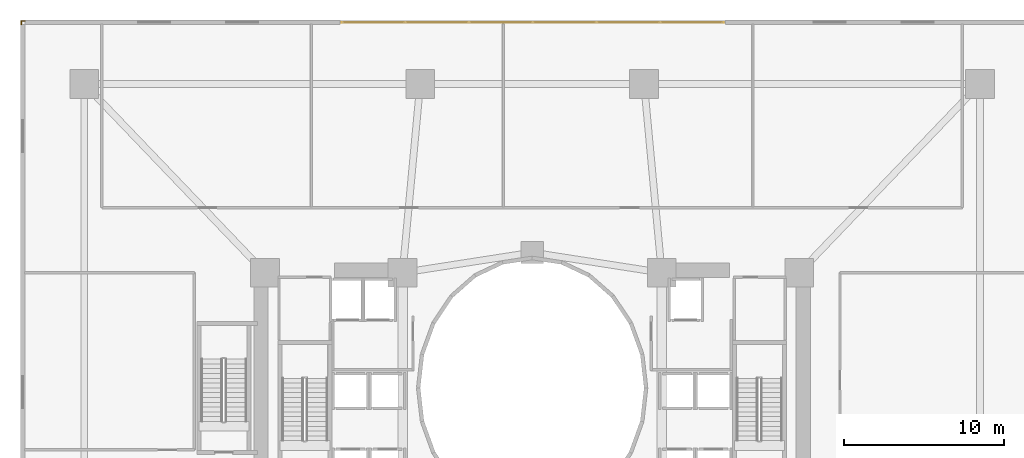
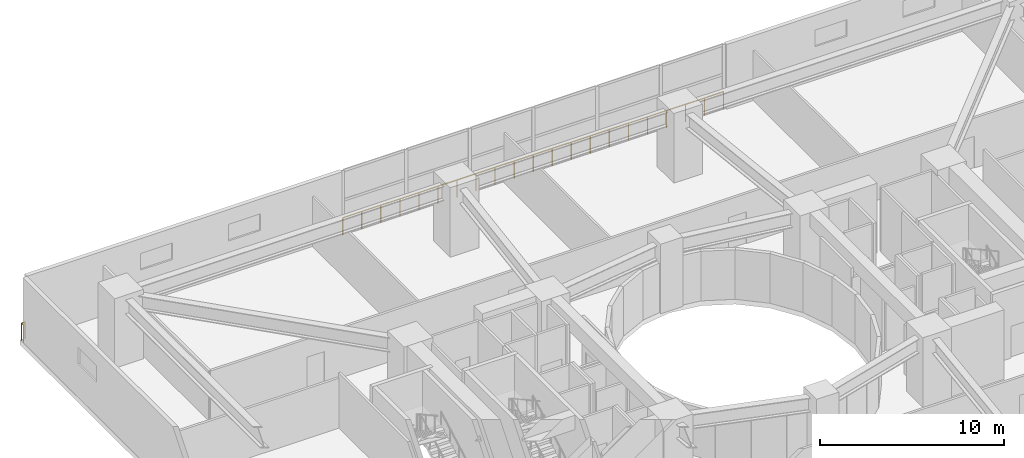
# One storey, part 19 of 20: 2 railings.
"""IFC4 building model written with IfcOpenShell, lengths in metres."""

from ifc_helpers import new_model, si_unit, direction, frame, origin, origin_2d, place, context, subcontext, project, spatial, circle, extrude, material, type_object, element, save


model = new_model("IFC4")

# Units and contexts
model_context = context("Model", 3, precision=1e-05, world=origin(), true_north=direction((0.0, 1.0)))
body_context = subcontext(model_context, "Body", "Model", "MODEL_VIEW")
ifc_project = project(units=[si_unit("LENGTHUNIT", "METRE"), si_unit("AREAUNIT", "SQUARE_METRE"), si_unit("VOLUMEUNIT", "CUBIC_METRE"), si_unit("PLANEANGLEUNIT", "RADIAN"), si_unit("MASSUNIT", "GRAM", prefix="KILO")], contexts=[model_context])

# Site, building, storey
site_placement = place(None, origin())
site = spatial("IfcSite", under=ifc_project, at=site_placement, CompositionType="ELEMENT")
building_placement = place(site_placement, origin())
building = spatial("IfcBuilding", under=site, at=building_placement, Name="Solvane Sanctuary Tower", CompositionType="ELEMENT")
storey_placement = place(building_placement, frame((0.0, 0.0, 18.39990234375)))
storey = spatial("IfcBuildingStorey", under=building, at=storey_placement, Name="L05", CompositionType="ELEMENT", Elevation=18.39990234375)

# Railings
ifc_material = material(Name="Architectural Stainless Steel 316", Category="steel")
railing_type = type_object("IfcRailingType", Name="Railing GR-BALC-1150", PredefinedType="BALUSTRADE", material=ifc_material)
railing_1_placement = place(storey_placement, frame((43.9599609375, 45.85009765625, 0.0)))
element("IfcRailing", 1, at=railing_1_placement, inside=storey, type_object=railing_type, Name="L05 Podium Curtain-Wall Sill Guard N2", PredefinedType="BALUSTRADE", context=body_context, shape_type="SweptSolid", body=[
    extrude(circle(Radius=0.02392578125, at=origin_2d()), frame((0.0, 0.0, 1.1259765625), z_axis=(-1.0, 0.0, 0.0), x_axis=(0.0, -1.0, 0.0)), (0.0, 0.0, 1.0), 23.83984375),
    extrude(circle(Radius=0.02099609375, at=origin_2d()), origin(), (0.0, 0.0, 1.0), 1.101806640625),
    extrude(circle(Radius=0.02099609375, at=origin_2d()), frame((-1.19189453125, 0.0, 0.0)), (0.0, 0.0, 1.0), 1.101806640625),
    extrude(circle(Radius=0.02099609375, at=origin_2d()), frame((-2.384033203125, 0.0, 0.0)), (0.0, 0.0, 1.0), 1.101806640625),
    extrude(circle(Radius=0.02099609375, at=origin_2d()), frame((-3.575927734375, 0.0, 0.0)), (0.0, 0.0, 1.0), 1.101806640625),
    extrude(circle(Radius=0.02099609375, at=origin_2d()), frame((-4.76806640625, 0.0, 0.0)), (0.0, 0.0, 1.0), 1.101806640625),
    extrude(circle(Radius=0.02099609375, at=origin_2d()), frame((-5.9599609375, 0.0, 0.0)), (0.0, 0.0, 1.0), 1.101806640625),
    extrude(circle(Radius=0.02099609375, at=origin_2d()), frame((-7.15185546875, 0.0, 0.0)), (0.0, 0.0, 1.0), 1.101806640625),
    extrude(circle(Radius=0.02099609375, at=origin_2d()), frame((-8.343994140625, 0.0, 0.0)), (0.0, 0.0, 1.0), 1.101806640625),
    extrude(circle(Radius=0.02099609375, at=origin_2d()), frame((-9.535888671875, 0.0, 0.0)), (0.0, 0.0, 1.0), 1.101806640625),
    extrude(circle(Radius=0.02099609375, at=origin_2d()), frame((-10.72802734375, 0.0, 0.0)), (0.0, 0.0, 1.0), 1.101806640625),
    extrude(circle(Radius=0.02099609375, at=origin_2d()), frame((-11.919921875, 0.0, 0.0)), (0.0, 0.0, 1.0), 1.101806640625),
    extrude(circle(Radius=0.02099609375, at=origin_2d()), frame((-13.11181640625, 0.0, 0.0)), (0.0, 0.0, 1.0), 1.101806640625),
    extrude(circle(Radius=0.02099609375, at=origin_2d()), frame((-14.303955078125, 0.0, 0.0)), (0.0, 0.0, 1.0), 1.101806640625),
    extrude(circle(Radius=0.02099609375, at=origin_2d()), frame((-15.495849609375, 0.0, 0.0)), (0.0, 0.0, 1.0), 1.101806640625),
    extrude(circle(Radius=0.02099609375, at=origin_2d()), frame((-16.68798828125, 0.0, 0.0)), (0.0, 0.0, 1.0), 1.101806640625),
    extrude(circle(Radius=0.02099609375, at=origin_2d()), frame((-17.8798828125, 0.0, 0.0)), (0.0, 0.0, 1.0), 1.101806640625),
    extrude(circle(Radius=0.02099609375, at=origin_2d()), frame((-19.07177734375, 0.0, 0.0)), (0.0, 0.0, 1.0), 1.101806640625),
    extrude(circle(Radius=0.02099609375, at=origin_2d()), frame((-20.263916015625, 0.0, 0.0)), (0.0, 0.0, 1.0), 1.101806640625),
    extrude(circle(Radius=0.02099609375, at=origin_2d()), frame((-21.455810546875, 0.0, 0.0)), (0.0, 0.0, 1.0), 1.101806640625),
    extrude(circle(Radius=0.02099609375, at=origin_2d()), frame((-22.64794921875, 0.0, 0.0)), (0.0, 0.0, 1.0), 1.101806640625),
    extrude(circle(Radius=0.02099609375, at=origin_2d()), frame((-23.83984375, 0.0, 0.0)), (0.0, 0.0, 1.0), 1.101806640625),
])
railing_2_placement = place(storey_placement, frame((0.06005859375, 45.719970703125, 0.0)))
element("IfcRailing", 2, at=railing_2_placement, inside=storey, type_object=railing_type, Name="L05 Perimeter Slab Edge Guardrail 02", PredefinedType="BALUSTRADE", context=body_context, shape_type="SweptSolid", body=[
    extrude(circle(Radius=0.02392578125, at=origin_2d()), frame((0.0, 0.0, 1.1259765625), z_axis=(0.0, 1.0, 0.0), x_axis=(-1.0, 0.0, 0.0)), (0.0, 0.0, 1.0), 0.219970703125),
    extrude(circle(Radius=0.02392578125, at=origin_2d()), frame((0.0, 0.219970703125, 1.1259765625), z_axis=(1.0, 0.0, 0.0), x_axis=(0.0, 1.0, 0.0)), (0.0, 0.0, 1.0), 0.219970703125),
    extrude(circle(Radius=0.02099609375, at=origin_2d()), origin(), (0.0, 0.0, 1.0), 1.101806640625),
    extrude(circle(Radius=0.02099609375, at=origin_2d()), frame((0.0, 0.219970703125, 0.0)), (0.0, 0.0, 1.0), 1.101806640625),
    extrude(circle(Radius=0.02099609375, at=origin_2d()), frame((0.219970703125, 0.219970703125, 0.0)), (0.0, 0.0, 1.0), 1.101806640625),
])

save(model, "model.ifc")
